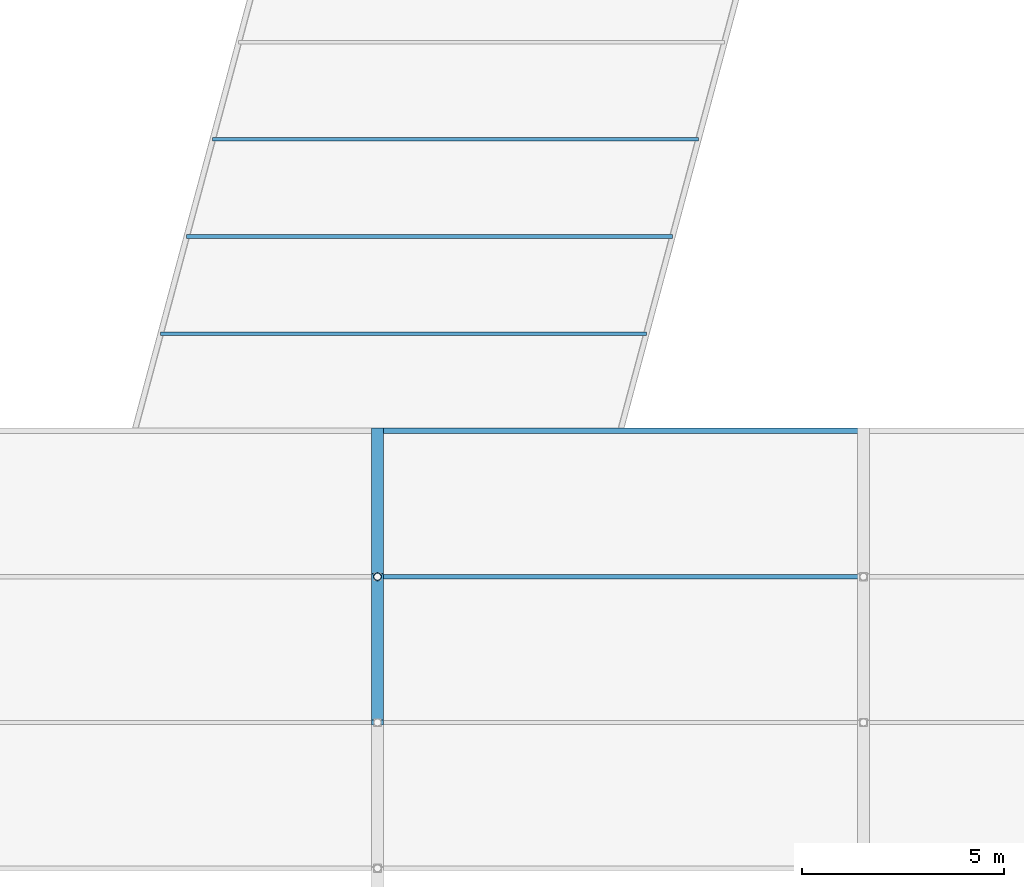
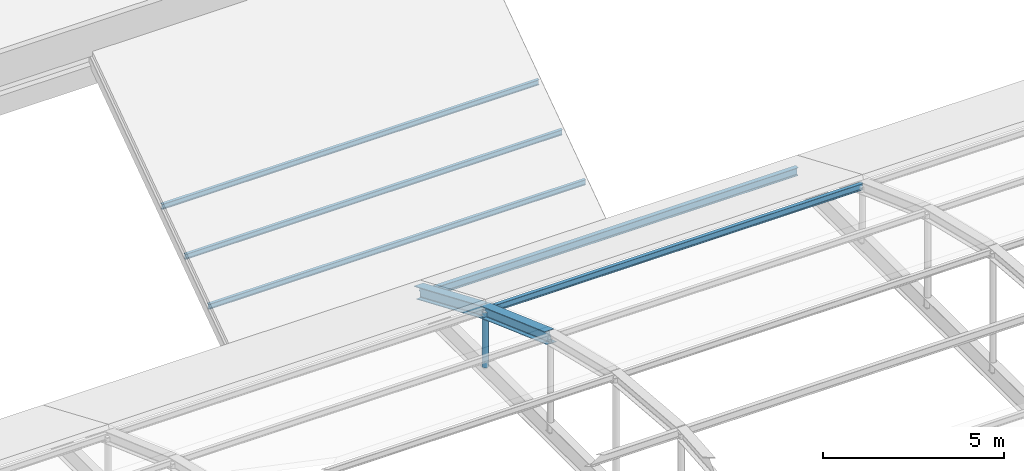
# One storey, part 182 of 239: 6 members, 2 beams.
"""IFC4 building model written with IfcOpenShell, lengths in metres."""

from ifc_helpers import new_model, si_unit, direction, frame, origin, origin_2d, place, context, subcontext, project, spatial, hollow_circle, i_section, extrude, material, material_profile, profile_set, type_object, element, save


model = new_model("IFC4")

# Units and contexts
model_context = context("Model", 3, precision=1e-05, world=origin(), true_north=direction((0.0, 1.0)))
body_context = subcontext(model_context, "Body", "Model", "MODEL_VIEW")
ifc_project = project(units=[si_unit("LENGTHUNIT", "METRE"), si_unit("AREAUNIT", "SQUARE_METRE"), si_unit("VOLUMEUNIT", "CUBIC_METRE"), si_unit("PLANEANGLEUNIT", "RADIAN"), si_unit("MASSUNIT", "GRAM", prefix="KILO")], contexts=[model_context])

# Site, building, storey
site_placement = place(None, origin())
site = spatial("IfcSite", under=ifc_project, at=site_placement, CompositionType="ELEMENT")
building_placement = place(site_placement, origin())
building = spatial("IfcBuilding", under=site, at=building_placement, Name="Dunvalen Ferry Terminal", CompositionType="ELEMENT")
storey_placement = place(building_placement, frame((0.0, 0.0, 9.840087890625)))
storey = spatial("IfcBuildingStorey", under=building, at=storey_placement, Name="L02", CompositionType="ELEMENT", Elevation=9.840087890625)

# Beams
ifc_material = material(Name="Steel S355", Category="steel")
ifc_material_profile_1 = material_profile(ifc_material, i_section(OverallWidth=0.300048828125, OverallDepth=0.389892578125, WebThickness=0.010986328125, FlangeThickness=0.01904296875, FilletRadius=0.027099609375, at=origin_2d()), Name="Steel S355")
ifc_profile_set_1 = profile_set([ifc_material_profile_1], Name="Steel S355")
beam_type = type_object("IfcBeamType", Name="STR-BM-HEA400", PredefinedType="BEAM", material=ifc_profile_set_1)
beam_1_placement = place(storey_placement, frame((132.0, 79.199951171875, 2.828369140625), z_axis=(0.0, 0.940736051004, -0.33913962072), x_axis=(-1.0, 0.0, 0.0)))
element("IfcBeam", 1, at=beam_1_placement, inside=storey, type_object=beam_type, Name="Arrivals Hall Barrel-Vault Arch Rib 03.7", PredefinedType="BEAM", context=body_context, shape_type="SweptSolid", body=[
    extrude(i_section(OverallWidth=0.300048828125, OverallDepth=0.389892578125, WebThickness=0.010986328125, FlangeThickness=0.01904296875, FilletRadius=0.027099609375, at=origin_2d()), origin(), (0.0, 0.0, 1.0), 3.826904296875),
])
beam_2_placement = place(storey_placement, frame((132.0, 82.800048828125, 1.530517578125), z_axis=(0.0, 0.920277550042, -0.391266189299), x_axis=(-1.0, 0.0, 0.0)))
element("IfcBeam", 2, at=beam_2_placement, inside=storey, type_object=beam_type, Name="Arrivals Hall Barrel-Vault Arch Rib 03.8", PredefinedType="BEAM", context=body_context, shape_type="SweptSolid", body=[
    extrude(i_section(OverallWidth=0.300048828125, OverallDepth=0.389892578125, WebThickness=0.010986328125, FlangeThickness=0.01904296875, FilletRadius=0.027099609375, at=origin_2d()), origin(), (0.0, 0.0, 1.0), 3.91162109375),
])

# Members
ifc_material_profile_2 = material_profile(ifc_material, hollow_circle(Radius=0.096923828125, WallThickness=0.008056640625, at=origin_2d()), Name="Steel S355")
ifc_profile_set_2 = profile_set([ifc_material_profile_2], Name="Steel S355")
member_type_1 = type_object("IfcMemberType", Name="STR-MB-CHS193", PredefinedType="STRUT", material=ifc_profile_set_2)
member_1_placement = place(storey_placement, frame((132.0, 82.800048828125, -0.340087890625), z_axis=(0.0, 0.0, 1.0), x_axis=(1.0, 0.0, 0.0)))
element("IfcMember", 3, at=member_1_placement, inside=storey, type_object=member_type_1, Name="Arrivals Hall Vault Hanger 03.7", PredefinedType="STRUT", context=body_context, shape_type="SweptSolid", body=[
    extrude(hollow_circle(Radius=0.096923828125, WallThickness=0.008056640625, at=origin_2d()), origin(), (0.0, 0.0, 1.0), 1.87060546875),
])
ifc_material_profile_3 = material_profile(ifc_material, i_section(OverallWidth=0.091064453125, OverallDepth=0.179931640625, WebThickness=0.00537109375, FlangeThickness=0.008056640625, FilletRadius=0.009033203125, at=origin_2d()), Name="Steel S355")
ifc_profile_set_3 = profile_set([ifc_material_profile_3], Name="Steel S355")
member_type_2 = type_object("IfcMemberType", Name="STR-MB-IPE180", PredefinedType="PURLIN", material=ifc_profile_set_3)
for number, where, z_axis, x_axis, name in (
    (4, (126.64306640625, 88.800048828125, -0.090087890625), (1.0, 0.0, 0.0), (0.0, 1.0, 0.0), "Boarding Bridge 2 Roof Purlin 1"),
    (5, (127.2861328125, 91.199951171875, -0.090087890625), (1.0, 0.0, 0.0), (0.0, 1.0, 0.0), "Boarding Bridge 2 Roof Purlin 2"),
    (6, (127.92919921875, 93.60009765625, -0.090087890625), (1.0, 0.0, 0.0), (0.0, 1.0, 0.0), "Boarding Bridge 2 Roof Purlin 3"),
):
    element("IfcMember", number, at=place(storey_placement, frame(where, z_axis=z_axis, x_axis=x_axis)), inside=storey, type_object=member_type_2, Name=name, PredefinedType="PURLIN", context=body_context, shape_type="SweptSolid", body=[
        extrude(i_section(OverallWidth=0.091064453125, OverallDepth=0.179931640625, WebThickness=0.00537109375, FlangeThickness=0.008056640625, FilletRadius=0.009033203125, at=origin_2d()), origin(), (0.0, 0.0, 1.0), 12.0),
    ])
ifc_material_profile_4 = material_profile(ifc_material, i_section(OverallWidth=0.110107421875, OverallDepth=0.219970703125, WebThickness=0.005859375, FlangeThickness=0.00927734375, FilletRadius=0.011962890625, at=origin_2d()), Name="Steel S355")
ifc_profile_set_4 = profile_set([ifc_material_profile_4], Name="Steel S355")
member_type_3 = type_object("IfcMemberType", Name="STR-MB-IPE220", PredefinedType="PURLIN", material=ifc_profile_set_4)
member_2_placement = place(storey_placement, frame((132.0, 82.800048828125, 1.530517578125), z_axis=(1.0, 0.0, 0.0), x_axis=(0.0, 1.0, 0.0)))
element("IfcMember", 7, at=member_2_placement, inside=storey, type_object=member_type_3, Name="Arrivals Hall Barrel-Vault Purlin 3.8", PredefinedType="PURLIN", context=body_context, shape_type="SweptSolid", body=[
    extrude(i_section(OverallWidth=0.110107421875, OverallDepth=0.219970703125, WebThickness=0.005859375, FlangeThickness=0.00927734375, FilletRadius=0.011962890625, at=origin_2d()), origin(), (0.0, 0.0, 1.0), 12.0),
])
ifc_material_profile_5 = material_profile(ifc_material, i_section(OverallWidth=0.135009765625, OverallDepth=0.27001953125, WebThickness=0.006591796875, FlangeThickness=0.01025390625, FilletRadius=0.014892578125, at=origin_2d()), Name="Steel S355")
ifc_profile_set_5 = profile_set([ifc_material_profile_5], Name="Steel S355")
member_type_4 = type_object("IfcMemberType", Name="STR-MB-IPE270", PredefinedType="PURLIN", material=ifc_profile_set_5)
member_3_placement = place(storey_placement, frame((132.0, 86.39990234375, -0.14013671875), z_axis=(1.0, 0.0, 0.0), x_axis=(0.0, 1.0, 0.0)))
element("IfcMember", 8, at=member_3_placement, inside=storey, type_object=member_type_4, Name="Arrivals Hall Barrel-Vault Purlin 3.9", PredefinedType="PURLIN", context=body_context, shape_type="SweptSolid", body=[
    extrude(i_section(OverallWidth=0.135009765625, OverallDepth=0.27001953125, WebThickness=0.006591796875, FlangeThickness=0.01025390625, FilletRadius=0.014892578125, at=origin_2d()), origin(), (0.0, 0.0, 1.0), 12.0),
])

save(model, "model.ifc")
